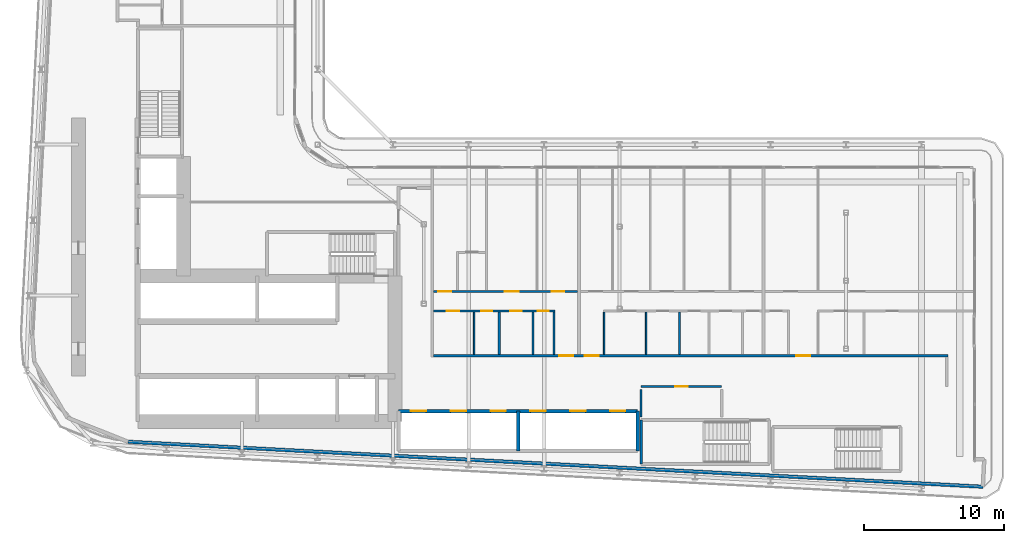
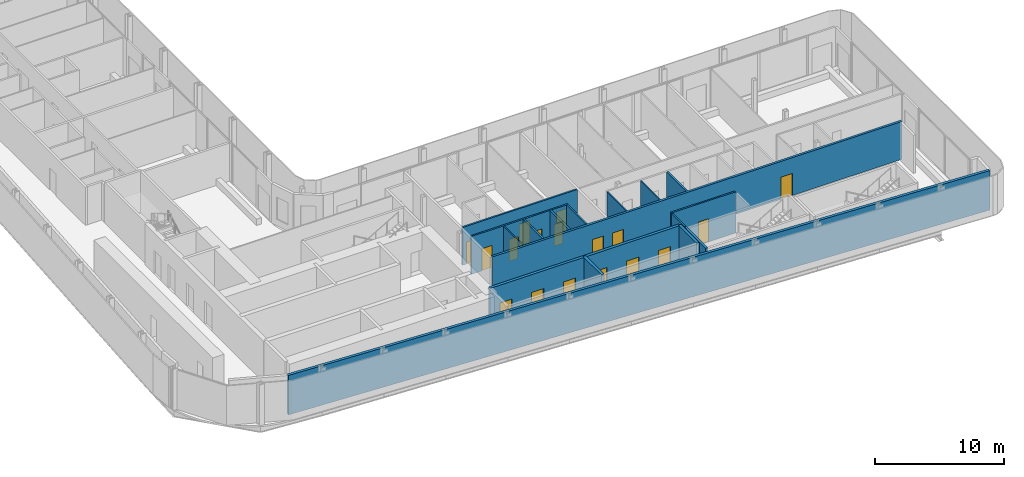
# One storey, part 14 of 28: 17 doors, 17 walls, 17 openings.
"""IFC4 building model written with IfcOpenShell, lengths in metres."""

import ifcopenshell
import ifcopenshell.guid

model = None  # the IFC model being written
_history = None  # IfcOwnerHistory: only IFC2X3 demands one
_inside = {}  # id of a spatial element -> (the spatial element, [elements in it])
_under = {}  # id of a project, library or spatial element -> (it, [spatial elements below it])
_declared = {}  # id of a project -> (the project, [libraries it declares])
_typed = {}  # id of a type object -> (the type object, [elements of that type])
_made_of = {}  # id of a material, layer set ... -> (it, [elements and type objects made of it])


def new_model(schema):
    """Start an empty IFC model of exactly this schema.

    Asked for "IFC4X3", IfcOpenShell would pick the latest addendum, in which some entities
    have other attributes; the version numbers below select the first issue.
    IFC2X3 requires an IfcOwnerHistory on every rooted entity: one is made here for all.
    """
    global model, _history
    if schema == "IFC4X3":
        model = ifcopenshell.file(schema_version=(4, 3, 0, 0))
    else:
        model = ifcopenshell.file(schema=schema)
    _inside.clear()
    _under.clear()
    _declared.clear()
    _typed.clear()
    _made_of.clear()
    _history = None
    if model.schema == "IFC2X3":
        org = make("IfcOrganization", Name="unknown")
        user = make(
            "IfcPersonAndOrganization",
            ThePerson=make("IfcPerson", FamilyName="unknown"),
            TheOrganization=org,
        )
        app = make(
            "IfcApplication",
            ApplicationDeveloper=org,
            Version="unknown",
            ApplicationFullName="unknown",
            ApplicationIdentifier="unknown",
        )
        _history = make(
            "IfcOwnerHistory",
            OwningUser=user,
            OwningApplication=app,
            ChangeAction="ADDED",
            CreationDate=0,
        )
    return model


def make(cls, **values):
    """One entity of the class cls with the attributes given. An attribute that is None is left unset."""
    return model.create_entity(
        cls, **{name: value for name, value in values.items() if value is not None}
    )


def rooted(cls, **values):
    """An entity with a GlobalId (a new one), such as an element, a storey or a relation."""
    return make(cls, GlobalId=ifcopenshell.guid.new(), OwnerHistory=_history, **values)


def si_unit(unit_type, name, prefix=None):
    """IfcSIUnit, for example si_unit("LENGTHUNIT", "METRE", prefix="MILLI")."""
    return make("IfcSIUnit", UnitType=unit_type, Prefix=prefix, Name=name)


def assignment(units):
    """IfcUnitAssignment: the units of a project."""
    return None if units is None else make("IfcUnitAssignment", Units=units)


def point(xyz):
    """IfcCartesianPoint."""
    return None if xyz is None else make("IfcCartesianPoint", Coordinates=xyz)


def direction(xyz):
    """IfcDirection."""
    return None if xyz is None else make("IfcDirection", DirectionRatios=xyz)


def frame(location, z_axis=None, x_axis=None):
    """IfcAxis2Placement3D, a coordinate frame: its origin and axes. An axis left out is left unset."""
    return make(
        "IfcAxis2Placement3D",
        Location=point(location),
        Axis=direction(z_axis),
        RefDirection=direction(x_axis),
    )


def frame_2d(location, x_axis=None):
    """IfcAxis2Placement2D, a coordinate frame in the plane: its origin and x axis."""
    return make(
        "IfcAxis2Placement2D", Location=point(location), RefDirection=direction(x_axis)
    )


def origin():
    """The frame at (0, 0, 0) with its axes left unset."""
    return frame((0.0, 0.0, 0.0))


def place(relative_to, where):
    """IfcLocalPlacement: puts the frame where relative to a parent placement (None: the world)."""
    return make(
        "IfcLocalPlacement", PlacementRelTo=relative_to, RelativePlacement=where
    )


def context(
    kind, dimensions, precision=None, world=None, true_north=None, identifier=None
):
    """IfcGeometricRepresentationContext, for example the 3D "Model" context."""
    return make(
        "IfcGeometricRepresentationContext",
        ContextIdentifier=identifier,
        ContextType=kind,
        CoordinateSpaceDimension=dimensions,
        Precision=precision,
        WorldCoordinateSystem=world,
        TrueNorth=true_north,
    )


def subcontext(parent, identifier, kind, view, scale=None):
    """IfcGeometricRepresentationSubContext, for example "Body" below "Model"."""
    return make(
        "IfcGeometricRepresentationSubContext",
        ContextIdentifier=identifier,
        ContextType=kind,
        ParentContext=parent,
        TargetScale=scale,
        TargetView=view,
    )


def project(units=None, contexts=None):
    """IfcProject with its units and contexts."""
    return rooted(
        "IfcProject",
        Name="project",
        RepresentationContexts=contexts,
        UnitsInContext=assignment(units),
    )


def spatial(cls, under=None, at=None, **own):
    """A site, building, storey or space (cls), placed at a placement, below another one or the project."""
    s = rooted(cls, ObjectPlacement=at, **own)
    if under is not None:
        _under.setdefault(under.id(), (under, []))[1].append(s)
    return s


def profile(cls, at=None, kind="AREA", **sizes):
    """A parametric profile (cls). Its sizes go by their IFC names, for example OverallWidth=200.0."""
    return make(cls, ProfileType=kind, Position=at, **sizes)


def rectangle(**sizes):
    """IfcRectangleProfileDef."""
    return profile("IfcRectangleProfileDef", **sizes)


def extrude(swept, where, along, depth):
    """IfcExtrudedAreaSolid: the profile swept, set in the frame where, extruded along a direction by depth."""
    return make(
        "IfcExtrudedAreaSolid",
        SweptArea=swept,
        Position=where,
        ExtrudedDirection=direction(along),
        Depth=depth,
    )


def shape(context_of_items, identifier, shape_type, items):
    """IfcShapeRepresentation: the items that make up one representation, for example the "Body"."""
    return make(
        "IfcShapeRepresentation",
        ContextOfItems=context_of_items,
        RepresentationIdentifier=identifier,
        RepresentationType=shape_type,
        Items=items,
    )


def source(mapping_origin, context_of_items, identifier, shape_type, items):
    """IfcRepresentationMap: a shape defined once, which mapped items show again and again."""
    return make(
        "IfcRepresentationMap",
        MappingOrigin=mapping_origin,
        MappedRepresentation=shape(context_of_items, identifier, shape_type, items),
    )


def transform(
    local_origin,
    x_axis=None,
    y_axis=None,
    z_axis=None,
    scale=None,
    scale2=None,
    scale3=None,
    uniform=True,
):
    """IfcCartesianTransformationOperator3D, or its non-uniform kind. x_axis, y_axis, z_axis: its Axis1, 2, 3."""
    if uniform:
        return make(
            "IfcCartesianTransformationOperator3D",
            Axis1=direction(x_axis),
            Axis2=direction(y_axis),
            LocalOrigin=point(local_origin),
            Scale=scale,
            Axis3=direction(z_axis),
        )
    return make(
        "IfcCartesianTransformationOperator3DnonUniform",
        Axis1=direction(x_axis),
        Axis2=direction(y_axis),
        LocalOrigin=point(local_origin),
        Scale=scale,
        Axis3=direction(z_axis),
        Scale2=scale2,
        Scale3=scale3,
    )


def mapped(mapping_source, mapping_target):
    """IfcMappedItem: shows the shape of a source again, moved by a transform."""
    return make(
        "IfcMappedItem", MappingSource=mapping_source, MappingTarget=mapping_target
    )


def material(Name=None, Category=None):
    """IfcMaterial."""
    return make("IfcMaterial", Name=Name, Category=Category)


def layer(
    of_material, thickness, ventilated=None, Name=None, Category=None, Priority=None
):
    """IfcMaterialLayer: one layer of a wall or slab, of a material (None: an air gap)."""
    return make(
        "IfcMaterialLayer",
        Material=of_material,
        LayerThickness=thickness,
        IsVentilated=ventilated,
        Name=Name,
        Category=Category,
        Priority=Priority,
    )


def layer_set(layers, Name=None):
    """IfcMaterialLayerSet."""
    return make("IfcMaterialLayerSet", MaterialLayers=layers, LayerSetName=Name)


def made_of(thing, what):
    """Note that an element or type object is made of a material, layer set ...; save() writes the relation."""
    if what is not None:
        _made_of.setdefault(what.id(), (what, []))[1].append(thing)
    return thing


def type_object(cls, material=None, **own):
    """A type object (cls), such as IfcWallType, which elements share."""
    return made_of(rooted(cls, **own), material)


def element(
    cls,
    number,
    at=None,
    inside=None,
    cuts=None,
    type_object=None,
    material=None,
    context=None,
    identifier="Body",
    shape_type=None,
    held_by="IfcProductDefinitionShape",
    body=None,
    shapes=None,
    **own,
):
    """One element of the class cls, such as IfcWall. Its Tag is "e" and its number.

    at: its placement. inside: the storey or other place that contains it. cuts: it is an
    opening in that element (IfcRelVoidsElement). A single representation is given by context,
    identifier, shape_type and body (its items); several are given by shapes. held_by: the class
    of the entity that holds the representations. save() writes the other relations.
    """
    e = rooted(cls, Tag="e%d" % number, ObjectPlacement=at, **own)
    if body is not None:
        shapes = [shape(context, identifier, shape_type, body)]
    if shapes is not None:
        e.Representation = make(held_by, Representations=shapes)
    if inside is not None:
        _inside.setdefault(inside.id(), (inside, []))[1].append(e)
    if cuts is not None:
        rooted(
            "IfcRelVoidsElement", RelatingBuildingElement=cuts, RelatedOpeningElement=e
        )
    if type_object is not None:
        _typed.setdefault(type_object.id(), (type_object, []))[1].append(e)
    return made_of(e, material)


def fill(opening, filler):
    """IfcRelFillsElement: the door or window that sits in an opening."""
    return rooted(
        "IfcRelFillsElement",
        RelatingOpeningElement=opening,
        RelatedBuildingElement=filler,
    )


def aggregate(whole, parts):
    """IfcRelAggregates: a whole, such as a stair, and the parts it consists of."""
    return rooted("IfcRelAggregates", RelatingObject=whole, RelatedObjects=parts)


def save(model, path):
    """Write the relations noted so far, then the file.

    IfcRelAggregates (storeys below a building ...), IfcRelContainedInSpatialStructure (elements
    in a storey), IfcRelDefinesByType, IfcRelAssociatesMaterial and IfcRelDeclares: one each for
    every whole, place, type object, material and project.
    """
    for whole, parts in _under.values():
        aggregate(whole, parts)
    for where, things in _inside.values():
        rooted(
            "IfcRelContainedInSpatialStructure",
            RelatedElements=things,
            RelatingStructure=where,
        )
    for kind, things in _typed.values():
        rooted("IfcRelDefinesByType", RelatedObjects=things, RelatingType=kind)
    for what, things in _made_of.values():
        rooted("IfcRelAssociatesMaterial", RelatedObjects=things, RelatingMaterial=what)
    for by, libraries in _declared.values():
        rooted("IfcRelDeclares", RelatingContext=by, RelatedDefinitions=libraries)
    model.write(path)


model = new_model("IFC4")

# Units and contexts
model_context = context("Model", 3, precision=1e-05, world=origin(), true_north=direction((0.0, 1.0)))
body_context = subcontext(model_context, "Body", "Model", "MODEL_VIEW")
ifc_project = project(units=[si_unit("LENGTHUNIT", "METRE"), si_unit("AREAUNIT", "SQUARE_METRE"), si_unit("VOLUMEUNIT", "CUBIC_METRE"), si_unit("PLANEANGLEUNIT", "RADIAN"), si_unit("MASSUNIT", "GRAM", prefix="KILO")], contexts=[model_context])

# Site, building, storey
site_placement = place(None, origin())
site = spatial("IfcSite", under=ifc_project, at=site_placement, CompositionType="ELEMENT")
building_placement = place(site_placement, origin())
building = spatial("IfcBuilding", under=site, at=building_placement, Name="Kheshtan School and Residences Tower", CompositionType="ELEMENT")
storey_placement = place(building_placement, frame((0.0, 0.0, 42.199951171875)))
storey = spatial("IfcBuildingStorey", under=building, at=storey_placement, Name="L09", CompositionType="ELEMENT", Elevation=42.199951171875)

# Wall, openings, doors
ifc_material_1 = material(Name="Gypsum board on steel studs with fire boards", Category="steel")
ifc_layer_1 = layer(ifc_material_1, 0.199951171875)
ifc_layer_set_1 = layer_set([ifc_layer_1], Name="Corridor wall 200")
wall_type_1 = type_object("IfcWallType", Name="Corridor wall 200", PredefinedType="PARTITIONING", material=ifc_layer_set_1)
wall_1_placement = place(storey_placement, frame((55.89990234375, 30.5, 0.0), z_axis=(0.0, 0.0, 1.0), x_axis=(1.0, 0.0, 0.0)))
wall_1 = element("IfcWall", 1, at=wall_1_placement, inside=storey, type_object=wall_type_1, Name="Partition L09-047", PredefinedType="PARTITIONING", context=body_context, shape_type="SweptSolid", body=[
    extrude(rectangle(XDim=36.800048828125, YDim=0.199951171875, at=frame_2d((18.39990234375, 0.0))), origin(), (0.0, 0.0, 1.0), 3.60009765625),
])
opening_1_placement = place(wall_1_placement, frame((9.0, 0.0, 0.0)))
opening_1 = element("IfcOpeningElement", 2, at=opening_1_placement, cuts=wall_1, Name="Opening D08-004", PredefinedType="OPENING", context=body_context, shape_type="SweptSolid", body=[
    extrude(rectangle(XDim=1.0, YDim=2.10009765625, at=frame_2d((0.5, 1.050048828125))), frame((0.0, 0.10986328125, 0.0), z_axis=(0.0, -1.0, 0.0), x_axis=(1.0, 0.0, 0.0)), (0.0, 0.0, 1.0), 0.219970703125),
])
opening_2_placement = place(wall_1_placement, frame((10.800048828125, 0.0, 0.0)))
opening_2 = element("IfcOpeningElement", 3, at=opening_2_placement, cuts=wall_1, Name="Opening D08-015", PredefinedType="OPENING", context=body_context, shape_type="SweptSolid", body=[
    extrude(rectangle(XDim=1.0, YDim=2.10009765625, at=frame_2d((0.5, 1.050048828125))), frame((0.0, 0.10986328125, 0.0), z_axis=(0.0, -1.0, 0.0), x_axis=(1.0, 0.0, 0.0)), (0.0, 0.0, 1.0), 0.219970703125),
])
opening_3_placement = place(wall_1_placement, frame((25.949951171875, 0.0, 0.0)))
opening_3 = element("IfcOpeningElement", 4, at=opening_3_placement, cuts=wall_1, Name="Opening D08-023", PredefinedType="OPENING", context=body_context, shape_type="SweptSolid", body=[
    extrude(rectangle(XDim=1.0, YDim=2.10009765625, at=frame_2d((0.5, 1.050048828125))), frame((0.0, 0.10986328125, 0.0), z_axis=(0.0, -1.0, 0.0), x_axis=(1.0, 0.0, 0.0)), (0.0, 0.0, 1.0), 0.219970703125),
])
ifc_material_2 = material(Name="Steel-framed fire-resisting door leaf", Category="steel")
door_type_1 = type_object("IfcDoorType", Name="Fire door FD30S 1000 x 2100", OperationType="SINGLE_SWING_LEFT", PredefinedType="DOOR", material=ifc_material_2)
shared_shape_1 = source(origin(), body_context, "Body", "SweptSolid", [
    extrude(rectangle(XDim=1.0, YDim=2.10009765625, at=frame_2d((0.5, 1.050048828125))), frame((0.0, 0.02490234375, 0.0), z_axis=(0.0, -1.0, 0.0), x_axis=(1.0, 0.0, 0.0)), (0.0, 0.0, 1.0), 0.050048828125),
])
door_1_placement = place(opening_1_placement, origin())
door_1 = element("IfcDoor", 5, at=door_1_placement, inside=storey, type_object=door_type_1, Name="Door D08-004", OperationType="SINGLE_SWING_RIGHT", OverallHeight=2.10009765625, OverallWidth=1.0, PredefinedType="DOOR", context=body_context, shape_type="MappedRepresentation", body=[
    mapped(shared_shape_1, transform((0.0, 0.0, 0.0), x_axis=(1.0, 0.0, 0.0), y_axis=(0.0, 1.0, 0.0), z_axis=(0.0, 0.0, 1.0), scale=1.0)),
])
fill(opening_1, door_1)
door_2_placement = place(opening_2_placement, origin())
door_2 = element("IfcDoor", 6, at=door_2_placement, inside=storey, type_object=door_type_1, Name="Door D08-015", OperationType="SINGLE_SWING_RIGHT", OverallHeight=2.10009765625, OverallWidth=1.0, PredefinedType="DOOR", context=body_context, shape_type="MappedRepresentation", body=[
    mapped(shared_shape_1, transform((0.0, 0.0, 0.0), x_axis=(1.0, 0.0, 0.0), y_axis=(0.0, 1.0, 0.0), z_axis=(0.0, 0.0, 1.0), scale=1.0)),
])
fill(opening_2, door_2)
door_3_placement = place(opening_3_placement, origin())
door_3 = element("IfcDoor", 7, at=door_3_placement, inside=storey, type_object=door_type_1, Name="Door D08-023", OperationType="SINGLE_SWING_RIGHT", OverallHeight=2.10009765625, OverallWidth=1.0, PredefinedType="DOOR", context=body_context, shape_type="MappedRepresentation", body=[
    mapped(shared_shape_1, transform((0.0, 0.0, 0.0), x_axis=(1.0, 0.0, 0.0), y_axis=(0.0, 1.0, 0.0), z_axis=(0.0, 0.0, 1.0), scale=1.0)),
])
fill(opening_3, door_3)

# Walls
ifc_material_3 = material(Name="Concrete C40/50 with ceramic cladding and mineral wool insulation", Category="concrete")
ifc_layer_2 = layer(ifc_material_3, 0.25)
ifc_layer_set_2 = layer_set([ifc_layer_2], Name="External wall 250 ceramic clad")
wall_type_2 = type_object("IfcWallType", Name="External wall 250 ceramic clad", PredefinedType="SOLIDWALL", material=ifc_layer_set_2)
wall_2_placement = place(storey_placement, frame((95.18603515625, 21.134033203125, 0.0), z_axis=(0.0, 0.0, 1.0), x_axis=(-0.998617201448, 0.052570761569, 0.0)))
element("IfcWall", 8, at=wall_2_placement, inside=storey, type_object=wall_type_2, Name="External wall L09 16", PredefinedType="SOLIDWALL", context=body_context, shape_type="SweptSolid", body=[
    extrude(rectangle(XDim=61.231689453125, YDim=0.25, at=frame_2d((30.61572265625, 0.0))), origin(), (0.0, 0.0, 1.0), 3.75),
])
ifc_material_4 = material(Name="Gypsum board on steel studs", Category="steel")
ifc_layer_3 = layer(ifc_material_4, 0.10009765625)
ifc_layer_set_3 = layer_set([ifc_layer_3], Name="Gypsum partition 100")
wall_type_3 = type_object("IfcWallType", Name="Gypsum partition 100", PredefinedType="PARTITIONING", material=ifc_layer_set_3)
for number, where, z_axis, x_axis, name in (
    (9, (58.800048828125, 30.60009765625, 0.0), (0.0, 0.0, 1.0), (0.0, 1.0, 0.0), "Partition L09-052"),
    (10, (68.10009765625, 30.60009765625, 0.0), (0.0, 0.0, 1.0), (0.0, 1.0, 0.0), "Partition L09-061"),
    (11, (71.10009765625, 30.60009765625, 0.0), (0.0, 0.0, 1.0), (0.0, 1.0, 0.0), "Partition L09-063"),
):
    element("IfcWall", number, at=place(storey_placement, frame(where, z_axis=z_axis, x_axis=x_axis)), inside=storey, type_object=wall_type_3, Name=name, PredefinedType="PARTITIONING", context=body_context, shape_type="SweptSolid", body=[
        extrude(rectangle(XDim=3.02490234375, YDim=0.10009765625, at=frame_2d((1.512451171875, 0.0))), origin(), (0.0, 0.0, 1.0), 3.60009765625),
    ])

# Wall, opening, door
ifc_material_5 = material(Name="Fire-board shaft wall system")
ifc_layer_4 = layer(ifc_material_5, 0.14990234375)
ifc_layer_set_4 = layer_set([ifc_layer_4], Name="Service room wall 150")
wall_type_4 = type_object("IfcWallType", Name="Service room wall 150", PredefinedType="PARTITIONING", material=ifc_layer_set_4)
wall_3_placement = place(storey_placement, frame((70.75, 28.300048828125, 0.0), z_axis=(0.0, 0.0, 1.0), x_axis=(1.0, 0.0, 0.0)))
wall_3 = element("IfcWall", 12, at=wall_3_placement, inside=storey, type_object=wall_type_4, Name="Service room wall", PredefinedType="PARTITIONING", context=body_context, shape_type="SweptSolid", body=[
    extrude(rectangle(XDim=5.760009765625, YDim=0.14990234375, at=frame_2d((2.8798828125, 0.0))), origin(), (0.0, 0.0, 1.0), 3.900146484375),
])
opening_4_placement = place(wall_3_placement, frame((2.429931640625, 0.0, 0.0)))
opening_4 = element("IfcOpeningElement", 13, at=opening_4_placement, cuts=wall_3, Name="Opening SR90", PredefinedType="OPENING", context=body_context, shape_type="SweptSolid", body=[
    extrude(rectangle(XDim=0.89990234375, YDim=2.199951171875, at=frame_2d((0.449951171875, 1.10009765625))), frame((0.0, 0.0849609375, 0.0), z_axis=(0.0, -1.0, 0.0), x_axis=(1.0, 0.0, 0.0)), (0.0, 0.0, 1.0), 0.169921875),
])
ifc_material_6 = material(Name="Steel door leaf, galvanised", Category="steel")
door_type_2 = type_object("IfcDoorType", Name="Service room door 900 steel 90 min", OperationType="SINGLE_SWING_LEFT", PredefinedType="DOOR", material=ifc_material_6)
shared_shape_2 = source(origin(), body_context, "Body", "SweptSolid", [
    extrude(rectangle(XDim=0.89990234375, YDim=2.199951171875, at=frame_2d((0.449951171875, 1.10009765625))), frame((0.0, 0.02490234375, 0.0), z_axis=(0.0, -1.0, 0.0), x_axis=(1.0, 0.0, 0.0)), (0.0, 0.0, 1.0), 0.050048828125),
])
door_4_placement = place(opening_4_placement, origin())
door_4 = element("IfcDoor", 14, at=door_4_placement, inside=storey, type_object=door_type_2, Name="Service room door", OperationType="SINGLE_SWING_LEFT", OverallHeight=2.199951171875, OverallWidth=0.89990234375, PredefinedType="DOOR", context=body_context, shape_type="MappedRepresentation", body=[
    mapped(shared_shape_2, transform((0.0, 0.0, 0.0), x_axis=(1.0, 0.0, 0.0), y_axis=(0.0, 1.0, 0.0), z_axis=(0.0, 0.0, 1.0), scale=1.0)),
])
fill(opening_4, door_4)

# Walls
wall_4_placement = place(storey_placement, frame((70.75, 26.1201171875, 0.0), z_axis=(0.0, 0.0, 1.0), x_axis=(0.0, 1.0, 0.0)))
element("IfcWall", 15, at=wall_4_placement, inside=storey, type_object=wall_type_4, Name="Service room wall", PredefinedType="PARTITIONING", context=body_context, shape_type="SweptSolid", body=[
    extrude(rectangle(XDim=1.98486328125, YDim=0.14990234375, at=frame_2d((0.992431640625, 0.0))), origin(), (0.0, 0.0, 1.0), 3.900146484375),
])
ifc_layer_5 = layer(ifc_material_5, 0.25)
ifc_layer_set_5 = layer_set([ifc_layer_5], Name="Shaft lining wall 250")
wall_type_5 = type_object("IfcWallType", Name="Shaft lining wall 250", PredefinedType="PARTITIONING", material=ifc_layer_set_5)
for number, where, z_axis, x_axis, name in (
    (16, (61.949951171875, 23.699951171875, 0.0), (0.0, 0.0, 1.0), (0.0, 1.0, 0.0), "Shaft lining wall"),
    (17, (70.5, 23.699951171875, 0.0), (0.0, 0.0, 1.0), (0.0, 1.0, 0.0), "Shaft lining wall"),
):
    element("IfcWall", number, at=place(storey_placement, frame(where, z_axis=z_axis, x_axis=x_axis)), inside=storey, type_object=wall_type_5, Name=name, PredefinedType="PARTITIONING", context=body_context, shape_type="SweptSolid", body=[
        extrude(rectangle(XDim=2.85009765625, YDim=0.25, at=frame_2d((1.425048828125, 0.0))), origin(), (0.0, 0.0, 1.0), 3.900146484375),
    ])

# Wall, openings, doors
wall_5_placement = place(storey_placement, frame((53.39990234375, 26.550048828125, 0.0), z_axis=(0.0, 0.0, 1.0), x_axis=(1.0, 0.0, 0.0)))
wall_5 = element("IfcWall", 18, at=wall_5_placement, inside=storey, type_object=wall_type_5, Name="Shaft lining wall", PredefinedType="PARTITIONING", context=body_context, shape_type="SweptSolid", body=[
    extrude(rectangle(XDim=17.10009765625, YDim=0.25, at=frame_2d((8.550048828125, 0.0))), origin(), (0.0, 0.0, 1.0), 3.900146484375),
])
opening_5_placement = place(wall_5_placement, frame((0.875, 0.0, 0.0)))
opening_5 = element("IfcOpeningElement", 19, at=opening_5_placement, cuts=wall_5, Name="Opening LD", PredefinedType="OPENING", context=body_context, shape_type="SweptSolid", body=[
    extrude(rectangle(XDim=1.10009765625, YDim=2.199951171875, at=frame_2d((0.550048828125, 1.10009765625))), frame((0.0, 0.135009765625, 0.0), z_axis=(0.0, -1.0, 0.0), x_axis=(1.0, 0.0, 0.0)), (0.0, 0.0, 1.0), 0.27001953125),
])
opening_6_placement = place(wall_5_placement, frame((3.72509765625, 0.0, 0.0)))
opening_6 = element("IfcOpeningElement", 20, at=opening_6_placement, cuts=wall_5, Name="Opening LD", PredefinedType="OPENING", context=body_context, shape_type="SweptSolid", body=[
    extrude(rectangle(XDim=1.10009765625, YDim=2.199951171875, at=frame_2d((0.550048828125, 1.10009765625))), frame((0.0, 0.135009765625, 0.0), z_axis=(0.0, -1.0, 0.0), x_axis=(1.0, 0.0, 0.0)), (0.0, 0.0, 1.0), 0.27001953125),
])
opening_7_placement = place(wall_5_placement, frame((6.574951171875, 0.0, 0.0)))
opening_7 = element("IfcOpeningElement", 21, at=opening_7_placement, cuts=wall_5, Name="Opening LD", PredefinedType="OPENING", context=body_context, shape_type="SweptSolid", body=[
    extrude(rectangle(XDim=1.10009765625, YDim=2.199951171875, at=frame_2d((0.550048828125, 1.10009765625))), frame((0.0, 0.135009765625, 0.0), z_axis=(0.0, -1.0, 0.0), x_axis=(1.0, 0.0, 0.0)), (0.0, 0.0, 1.0), 0.27001953125),
])
opening_8_placement = place(wall_5_placement, frame((9.425048828125, 0.0, 0.0)))
opening_8 = element("IfcOpeningElement", 22, at=opening_8_placement, cuts=wall_5, Name="Opening LD", PredefinedType="OPENING", context=body_context, shape_type="SweptSolid", body=[
    extrude(rectangle(XDim=1.10009765625, YDim=2.199951171875, at=frame_2d((0.550048828125, 1.10009765625))), frame((0.0, 0.135009765625, 0.0), z_axis=(0.0, -1.0, 0.0), x_axis=(1.0, 0.0, 0.0)), (0.0, 0.0, 1.0), 0.27001953125),
])
opening_9_placement = place(wall_5_placement, frame((12.27490234375, 0.0, 0.0)))
opening_9 = element("IfcOpeningElement", 23, at=opening_9_placement, cuts=wall_5, Name="Opening LD", PredefinedType="OPENING", context=body_context, shape_type="SweptSolid", body=[
    extrude(rectangle(XDim=1.10009765625, YDim=2.199951171875, at=frame_2d((0.550048828125, 1.10009765625))), frame((0.0, 0.135009765625, 0.0), z_axis=(0.0, -1.0, 0.0), x_axis=(1.0, 0.0, 0.0)), (0.0, 0.0, 1.0), 0.27001953125),
])
opening_10_placement = place(wall_5_placement, frame((15.125, 0.0, 0.0)))
opening_10 = element("IfcOpeningElement", 24, at=opening_10_placement, cuts=wall_5, Name="Opening LD", PredefinedType="OPENING", context=body_context, shape_type="SweptSolid", body=[
    extrude(rectangle(XDim=1.10009765625, YDim=2.199951171875, at=frame_2d((0.550048828125, 1.10009765625))), frame((0.0, 0.135009765625, 0.0), z_axis=(0.0, -1.0, 0.0), x_axis=(1.0, 0.0, 0.0)), (0.0, 0.0, 1.0), 0.27001953125),
])
ifc_material_7 = material(Name="Stainless steel door leaves", Category="steel")
door_type_3 = type_object("IfcDoorType", Name="Lift landing door 1100", OperationType="SLIDING_TO_LEFT", PredefinedType="DOOR", material=ifc_material_7)
shared_shape_3 = source(origin(), body_context, "Body", "SweptSolid", [
    extrude(rectangle(XDim=1.10009765625, YDim=2.199951171875, at=frame_2d((0.550048828125, 1.10009765625))), frame((0.0, 0.02490234375, 0.0), z_axis=(0.0, -1.0, 0.0), x_axis=(1.0, 0.0, 0.0)), (0.0, 0.0, 1.0), 0.050048828125),
])
door_5_placement = place(opening_5_placement, origin())
door_5 = element("IfcDoor", 25, at=door_5_placement, inside=storey, type_object=door_type_3, Name="Lift P1 landing door", OperationType="SLIDING_TO_LEFT", OverallHeight=2.199951171875, OverallWidth=1.10009765625, PredefinedType="DOOR", context=body_context, shape_type="MappedRepresentation", body=[
    mapped(shared_shape_3, transform((0.0, 0.0, 0.0), x_axis=(1.0, 0.0, 0.0), y_axis=(0.0, 1.0, 0.0), z_axis=(0.0, 0.0, 1.0), scale=1.0)),
])
fill(opening_5, door_5)
door_6_placement = place(opening_6_placement, origin())
door_6 = element("IfcDoor", 26, at=door_6_placement, inside=storey, type_object=door_type_3, Name="Lift P2 landing door", OperationType="SLIDING_TO_LEFT", OverallHeight=2.199951171875, OverallWidth=1.10009765625, PredefinedType="DOOR", context=body_context, shape_type="MappedRepresentation", body=[
    mapped(shared_shape_3, transform((0.0, 0.0, 0.0), x_axis=(1.0, 0.0, 0.0), y_axis=(0.0, 1.0, 0.0), z_axis=(0.0, 0.0, 1.0), scale=1.0)),
])
fill(opening_6, door_6)
door_7_placement = place(opening_7_placement, origin())
door_7 = element("IfcDoor", 27, at=door_7_placement, inside=storey, type_object=door_type_3, Name="Lift P3 landing door", OperationType="SLIDING_TO_LEFT", OverallHeight=2.199951171875, OverallWidth=1.10009765625, PredefinedType="DOOR", context=body_context, shape_type="MappedRepresentation", body=[
    mapped(shared_shape_3, transform((0.0, 0.0, 0.0), x_axis=(1.0, 0.0, 0.0), y_axis=(0.0, 1.0, 0.0), z_axis=(0.0, 0.0, 1.0), scale=1.0)),
])
fill(opening_7, door_7)
door_8_placement = place(opening_8_placement, origin())
door_8 = element("IfcDoor", 28, at=door_8_placement, inside=storey, type_object=door_type_3, Name="Lift P4 landing door", OperationType="SLIDING_TO_LEFT", OverallHeight=2.199951171875, OverallWidth=1.10009765625, PredefinedType="DOOR", context=body_context, shape_type="MappedRepresentation", body=[
    mapped(shared_shape_3, transform((0.0, 0.0, 0.0), x_axis=(1.0, 0.0, 0.0), y_axis=(0.0, 1.0, 0.0), z_axis=(0.0, 0.0, 1.0), scale=1.0)),
])
fill(opening_8, door_8)
door_9_placement = place(opening_9_placement, origin())
door_9 = element("IfcDoor", 29, at=door_9_placement, inside=storey, type_object=door_type_3, Name="Lift P5 landing door", OperationType="SLIDING_TO_LEFT", OverallHeight=2.199951171875, OverallWidth=1.10009765625, PredefinedType="DOOR", context=body_context, shape_type="MappedRepresentation", body=[
    mapped(shared_shape_3, transform((0.0, 0.0, 0.0), x_axis=(1.0, 0.0, 0.0), y_axis=(0.0, 1.0, 0.0), z_axis=(0.0, 0.0, 1.0), scale=1.0)),
])
fill(opening_9, door_9)
door_10_placement = place(opening_10_placement, origin())
door_10 = element("IfcDoor", 30, at=door_10_placement, inside=storey, type_object=door_type_3, Name="Lift P6 landing door", OperationType="SLIDING_TO_LEFT", OverallHeight=2.199951171875, OverallWidth=1.10009765625, PredefinedType="DOOR", context=body_context, shape_type="MappedRepresentation", body=[
    mapped(shared_shape_3, transform((0.0, 0.0, 0.0), x_axis=(1.0, 0.0, 0.0), y_axis=(0.0, 1.0, 0.0), z_axis=(0.0, 0.0, 1.0), scale=1.0)),
])
fill(opening_10, door_10)

# Wall
ifc_material_8 = material(Name="Concrete C40/50", Category="concrete")
ifc_layer_6 = layer(ifc_material_8, 0.199951171875)
ifc_layer_set_6 = layer_set([ifc_layer_6], Name="Stair enclosure wall 200 Concrete C40/50")
wall_type_6 = type_object("IfcWallType", Name="Stair enclosure wall 200 Concrete C40/50", PredefinedType="SHEAR", material=ifc_layer_set_6)
wall_6_placement = place(storey_placement, frame((70.75, 22.75, 0.0), z_axis=(0.0, 0.0, 1.0), x_axis=(0.0, 1.0, 0.0)))
element("IfcWall", 31, at=wall_6_placement, inside=storey, type_object=wall_type_6, Name="Stair enclosure wall ST5", PredefinedType="SHEAR", context=body_context, shape_type="SweptSolid", body=[
    extrude(rectangle(XDim=3.14990234375, YDim=0.199951171875, at=frame_2d((1.574951171875, 0.0))), origin(), (0.0, 0.0, 1.0), 3.900146484375),
])

# Wall, openings, doors
ifc_material_9 = material(Name="Moisture-resistant gypsum board on steel studs", Category="steel")
ifc_layer_7 = layer(ifc_material_9, 0.14990234375)
ifc_layer_set_7 = layer_set([ifc_layer_7], Name="Wet-room partition 150")
wall_type_7 = type_object("IfcWallType", Name="Wet-room partition 150", PredefinedType="PARTITIONING", material=ifc_layer_set_7)
wall_7_placement = place(storey_placement, frame((55.89990234375, 33.699951171875, 0.0), z_axis=(0.0, 0.0, 1.0), x_axis=(1.0, 0.0, 0.0)))
wall_7 = element("IfcWall", 32, at=wall_7_placement, inside=storey, type_object=wall_type_7, Name="Partition L09-048", PredefinedType="PARTITIONING", context=body_context, shape_type="SweptSolid", body=[
    extrude(rectangle(XDim=8.675048828125, YDim=0.14990234375, at=frame_2d((4.33740234375, 0.0))), origin(), (0.0, 0.0, 1.0), 3.60009765625),
])
opening_11_placement = place(wall_7_placement, frame((5.5, 0.0, 0.0)))
opening_11 = element("IfcOpeningElement", 33, at=opening_11_placement, cuts=wall_7, Name="Opening D08-001", PredefinedType="OPENING", context=body_context, shape_type="SweptSolid", body=[
    extrude(rectangle(XDim=0.800048828125, YDim=2.10009765625, at=frame_2d((0.39990234375, 1.050048828125))), frame((0.0, 0.0849609375, 0.0), z_axis=(0.0, -1.0, 0.0), x_axis=(1.0, 0.0, 0.0)), (0.0, 0.0, 1.0), 0.169921875),
])
opening_12_placement = place(wall_7_placement, frame((0.949951171875, 0.0, 0.0)))
opening_12 = element("IfcOpeningElement", 34, at=opening_12_placement, cuts=wall_7, Name="Opening D08-005", PredefinedType="OPENING", context=body_context, shape_type="SweptSolid", body=[
    extrude(rectangle(XDim=0.89990234375, YDim=2.10009765625, at=frame_2d((0.449951171875, 1.050048828125))), frame((0.0, 0.0849609375, 0.0), z_axis=(0.0, -1.0, 0.0), x_axis=(1.0, 0.0, 0.0)), (0.0, 0.0, 1.0), 0.169921875),
])
opening_13_placement = place(wall_7_placement, frame((3.39990234375, 0.0, 0.0)))
opening_13 = element("IfcOpeningElement", 35, at=opening_13_placement, cuts=wall_7, Name="Opening D08-008", PredefinedType="OPENING", context=body_context, shape_type="SweptSolid", body=[
    extrude(rectangle(XDim=0.800048828125, YDim=2.10009765625, at=frame_2d((0.39990234375, 1.050048828125))), frame((0.0, 0.0849609375, 0.0), z_axis=(0.0, -1.0, 0.0), x_axis=(1.0, 0.0, 0.0)), (0.0, 0.0, 1.0), 0.169921875),
])
opening_14_placement = place(wall_7_placement, frame((7.449951171875, 0.0, 0.0)))
opening_14 = element("IfcOpeningElement", 36, at=opening_14_placement, cuts=wall_7, Name="Opening D08-009", PredefinedType="OPENING", context=body_context, shape_type="SweptSolid", body=[
    extrude(rectangle(XDim=0.800048828125, YDim=2.10009765625, at=frame_2d((0.39990234375, 1.050048828125))), frame((0.0, 0.0849609375, 0.0), z_axis=(0.0, -1.0, 0.0), x_axis=(1.0, 0.0, 0.0)), (0.0, 0.0, 1.0), 0.169921875),
])
ifc_material_10 = material(Name="Veneered timber door leaf", Category="wood")
door_type_4 = type_object("IfcDoorType", Name="Door 800 x 2100", OperationType="SINGLE_SWING_LEFT", PredefinedType="DOOR", material=ifc_material_10)
shared_shape_4 = source(origin(), body_context, "Body", "SweptSolid", [
    extrude(rectangle(XDim=0.800048828125, YDim=2.10009765625, at=frame_2d((0.39990234375, 1.050048828125))), frame((0.0, 0.02490234375, 0.0), z_axis=(0.0, -1.0, 0.0), x_axis=(1.0, 0.0, 0.0)), (0.0, 0.0, 1.0), 0.050048828125),
])
door_11_placement = place(opening_11_placement, origin())
door_11 = element("IfcDoor", 37, at=door_11_placement, inside=storey, type_object=door_type_4, Name="Door D08-001", OperationType="SINGLE_SWING_RIGHT", OverallHeight=2.10009765625, OverallWidth=0.800048828125, PredefinedType="DOOR", context=body_context, shape_type="MappedRepresentation", body=[
    mapped(shared_shape_4, transform((0.0, 0.0, 0.0), x_axis=(1.0, 0.0, 0.0), y_axis=(0.0, 1.0, 0.0), z_axis=(0.0, 0.0, 1.0), scale=1.0)),
])
fill(opening_11, door_11)
door_12_placement = place(opening_13_placement, origin())
door_12 = element("IfcDoor", 38, at=door_12_placement, inside=storey, type_object=door_type_4, Name="Door D08-008", OperationType="SINGLE_SWING_LEFT", OverallHeight=2.10009765625, OverallWidth=0.800048828125, PredefinedType="DOOR", context=body_context, shape_type="MappedRepresentation", body=[
    mapped(shared_shape_4, transform((0.0, 0.0, 0.0), x_axis=(1.0, 0.0, 0.0), y_axis=(0.0, 1.0, 0.0), z_axis=(0.0, 0.0, 1.0), scale=1.0)),
])
fill(opening_13, door_12)
door_13_placement = place(opening_14_placement, origin())
door_13 = element("IfcDoor", 39, at=door_13_placement, inside=storey, type_object=door_type_4, Name="Door D08-009", OperationType="SINGLE_SWING_LEFT", OverallHeight=2.10009765625, OverallWidth=0.800048828125, PredefinedType="DOOR", context=body_context, shape_type="MappedRepresentation", body=[
    mapped(shared_shape_4, transform((0.0, 0.0, 0.0), x_axis=(1.0, 0.0, 0.0), y_axis=(0.0, 1.0, 0.0), z_axis=(0.0, 0.0, 1.0), scale=1.0)),
])
fill(opening_14, door_13)
door_type_5 = type_object("IfcDoorType", Name="Door 900 x 2100", OperationType="SINGLE_SWING_LEFT", PredefinedType="DOOR", material=ifc_material_10)
shared_shape_5 = source(origin(), body_context, "Body", "SweptSolid", [
    extrude(rectangle(XDim=0.89990234375, YDim=2.10009765625, at=frame_2d((0.449951171875, 1.050048828125))), frame((0.0, 0.02490234375, 0.0), z_axis=(0.0, -1.0, 0.0), x_axis=(1.0, 0.0, 0.0)), (0.0, 0.0, 1.0), 0.050048828125),
])
door_14_placement = place(opening_12_placement, origin())
door_14 = element("IfcDoor", 40, at=door_14_placement, inside=storey, type_object=door_type_5, Name="Door D08-005", OperationType="SINGLE_SWING_LEFT", OverallHeight=2.10009765625, OverallWidth=0.89990234375, PredefinedType="DOOR", context=body_context, shape_type="MappedRepresentation", body=[
    mapped(shared_shape_5, transform((0.0, 0.0, 0.0), x_axis=(1.0, 0.0, 0.0), y_axis=(0.0, 1.0, 0.0), z_axis=(0.0, 0.0, 1.0), scale=1.0)),
])
fill(opening_12, door_14)

wall_8_placement = place(storey_placement, frame((55.89990234375, 35.10009765625, 0.0), z_axis=(0.0, 0.0, 1.0), x_axis=(1.0, 0.0, 0.0)))
wall_8 = element("IfcWall", 41, at=wall_8_placement, inside=storey, type_object=wall_type_7, Name="Partition L09-049", PredefinedType="PARTITIONING", context=body_context, shape_type="SweptSolid", body=[
    extrude(rectangle(XDim=10.300048828125, YDim=0.14990234375, at=frame_2d((5.14990234375, 0.0))), origin(), (0.0, 0.0, 1.0), 3.60009765625),
])
opening_15_placement = place(wall_8_placement, frame((8.449951171875, 0.0, 0.0)))
opening_15 = element("IfcOpeningElement", 42, at=opening_15_placement, cuts=wall_8, Name="Opening D08-002", PredefinedType="OPENING", context=body_context, shape_type="SweptSolid", body=[
    extrude(rectangle(XDim=0.89990234375, YDim=2.10009765625, at=frame_2d((0.449951171875, 1.050048828125))), frame((0.0, 0.0849609375, 0.0), z_axis=(0.0, -1.0, 0.0), x_axis=(1.0, 0.0, 0.0)), (0.0, 0.0, 1.0), 0.169921875),
])
opening_16_placement = place(wall_8_placement, frame((5.10009765625, 0.0, 0.0)))
opening_16 = element("IfcOpeningElement", 43, at=opening_16_placement, cuts=wall_8, Name="Opening D08-006", PredefinedType="OPENING", context=body_context, shape_type="SweptSolid", body=[
    extrude(rectangle(XDim=1.0, YDim=2.10009765625, at=frame_2d((0.5, 1.050048828125))), frame((0.0, 0.0849609375, 0.0), z_axis=(0.0, -1.0, 0.0), x_axis=(1.0, 0.0, 0.0)), (0.0, 0.0, 1.0), 0.169921875),
])
opening_17_placement = place(wall_8_placement, frame((0.35009765625, 0.0, 0.0)))
opening_17 = element("IfcOpeningElement", 44, at=opening_17_placement, cuts=wall_8, Name="Opening D08-007", PredefinedType="OPENING", context=body_context, shape_type="SweptSolid", body=[
    extrude(rectangle(XDim=0.89990234375, YDim=2.10009765625, at=frame_2d((0.449951171875, 1.050048828125))), frame((0.0, 0.0849609375, 0.0), z_axis=(0.0, -1.0, 0.0), x_axis=(1.0, 0.0, 0.0)), (0.0, 0.0, 1.0), 0.169921875),
])
door_type_6 = type_object("IfcDoorType", Name="Door 1000 x 2100", OperationType="SINGLE_SWING_LEFT", PredefinedType="DOOR", material=ifc_material_10)
shared_shape_6 = source(origin(), body_context, "Body", "SweptSolid", [
    extrude(rectangle(XDim=1.0, YDim=2.10009765625, at=frame_2d((0.5, 1.050048828125))), frame((0.0, 0.02490234375, 0.0), z_axis=(0.0, -1.0, 0.0), x_axis=(1.0, 0.0, 0.0)), (0.0, 0.0, 1.0), 0.050048828125),
])
door_15_placement = place(opening_16_placement, origin())
door_15 = element("IfcDoor", 45, at=door_15_placement, inside=storey, type_object=door_type_6, Name="Door D08-006", OperationType="SINGLE_SWING_RIGHT", OverallHeight=2.10009765625, OverallWidth=1.0, PredefinedType="DOOR", context=body_context, shape_type="MappedRepresentation", body=[
    mapped(shared_shape_6, transform((0.0, 0.0, 0.0), x_axis=(1.0, 0.0, 0.0), y_axis=(0.0, 1.0, 0.0), z_axis=(0.0, 0.0, 1.0), scale=1.0)),
])
fill(opening_16, door_15)
door_16_placement = place(opening_15_placement, origin())
door_16 = element("IfcDoor", 46, at=door_16_placement, inside=storey, type_object=door_type_5, Name="Door D08-002", OperationType="SINGLE_SWING_LEFT", OverallHeight=2.10009765625, OverallWidth=0.89990234375, PredefinedType="DOOR", context=body_context, shape_type="MappedRepresentation", body=[
    mapped(shared_shape_5, transform((0.0, 0.0, 0.0), x_axis=(1.0, 0.0, 0.0), y_axis=(0.0, 1.0, 0.0), z_axis=(0.0, 0.0, 1.0), scale=1.0)),
])
fill(opening_15, door_16)
door_17_placement = place(opening_17_placement, origin())
door_17 = element("IfcDoor", 47, at=door_17_placement, inside=storey, type_object=door_type_5, Name="Door D08-007", OperationType="SINGLE_SWING_RIGHT", OverallHeight=2.10009765625, OverallWidth=0.89990234375, PredefinedType="DOOR", context=body_context, shape_type="MappedRepresentation", body=[
    mapped(shared_shape_5, transform((0.0, 0.0, 0.0), x_axis=(1.0, 0.0, 0.0), y_axis=(0.0, 1.0, 0.0), z_axis=(0.0, 0.0, 1.0), scale=1.0)),
])
fill(opening_17, door_17)

# Walls
for number, where, z_axis, x_axis, name in (
    (48, (60.60009765625, 30.60009765625, 0.0), (0.0, 0.0, 1.0), (0.0, 1.0, 0.0), "Partition L09-054"),
    (49, (63.0, 30.60009765625, 0.0), (0.0, 0.0, 1.0), (0.0, 1.0, 0.0), "Partition L09-055"),
    (50, (64.5, 30.60009765625, 0.0), (0.0, 0.0, 1.0), (0.0, 1.0, 0.0), "Partition L09-057"),
    (51, (73.5, 30.60009765625, 0.0), (0.0, 0.0, 1.0), (0.0, 1.0, 0.0), "Partition L09-065"),
):
    element("IfcWall", number, at=place(storey_placement, frame(where, z_axis=z_axis, x_axis=x_axis)), inside=storey, type_object=wall_type_7, Name=name, PredefinedType="PARTITIONING", context=body_context, shape_type="SweptSolid", body=[
        extrude(rectangle(XDim=3.02490234375, YDim=0.14990234375, at=frame_2d((1.512451171875, 0.0))), origin(), (0.0, 0.0, 1.0), 3.60009765625),
    ])

save(model, "model.ifc")
